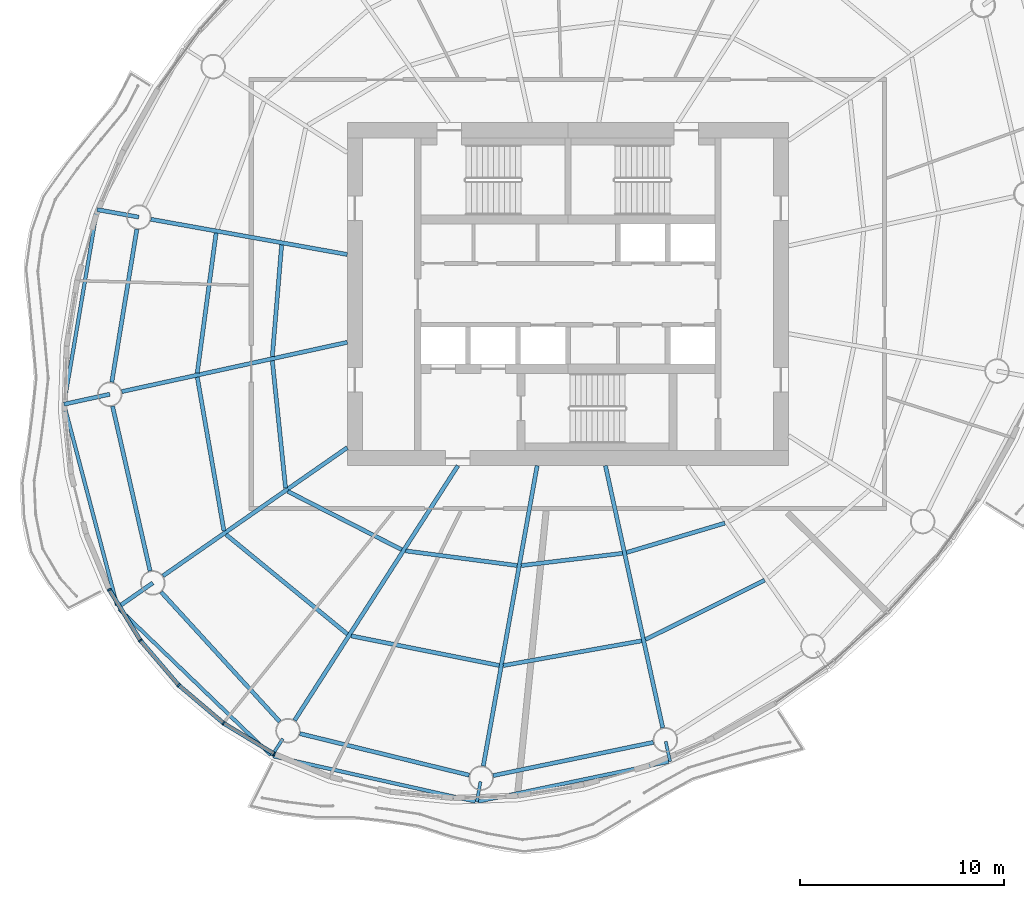
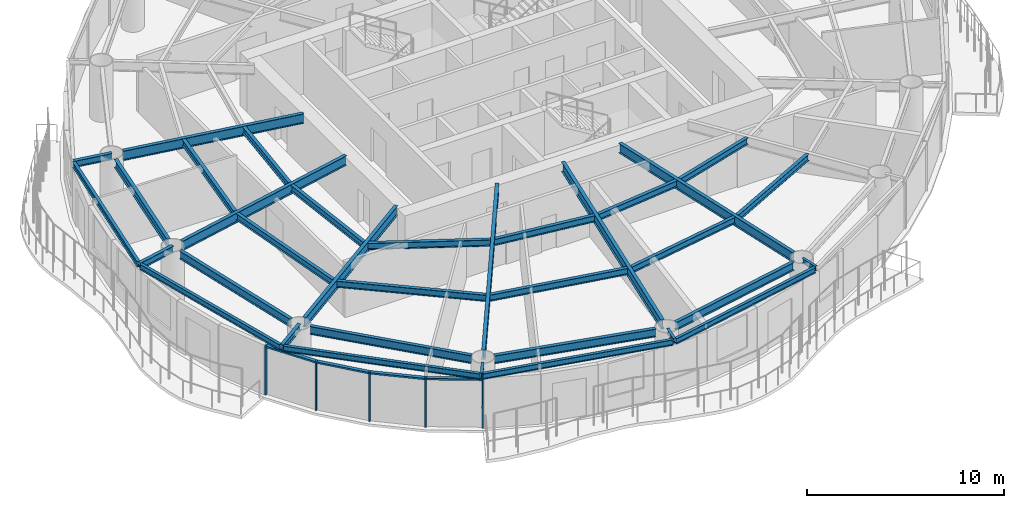
# One storey, part 2 of 14: 34 beams, 9 members, 4 elements without a shape of their own.
"""IFC4 building model written with IfcOpenShell, lengths in metres."""

from ifc_helpers import new_model, si_unit, direction, frame, origin, origin_2d, place, context, subcontext, project, spatial, rectangle, i_section, extrude, material, material_profile, profile_set, type_object, element, aggregate, save


model = new_model("IFC4")

# Units and contexts
model_context = context("Model", 3, precision=1e-05, world=origin(), true_north=direction((0.0, 1.0)))
body_context = subcontext(model_context, "Body", "Model", "MODEL_VIEW")
ifc_project = project(units=[si_unit("LENGTHUNIT", "METRE"), si_unit("AREAUNIT", "SQUARE_METRE"), si_unit("VOLUMEUNIT", "CUBIC_METRE"), si_unit("PLANEANGLEUNIT", "RADIAN"), si_unit("MASSUNIT", "GRAM", prefix="KILO")], contexts=[model_context])

# Site, building, storey
site_placement = place(None, origin())
site = spatial("IfcSite", under=ifc_project, at=site_placement, CompositionType="ELEMENT")
building_placement = place(site_placement, origin())
building = spatial("IfcBuilding", under=site, at=building_placement, Name="Vermilion Reach Broadcast Tower", CompositionType="ELEMENT")
storey_placement = place(building_placement, frame((0.0, 0.0, 213.699951171875)))
storey = spatial("IfcBuildingStorey", under=building, at=storey_placement, Name="L52", CompositionType="ELEMENT", Elevation=213.699951171875)

# Beams
ifc_material_1 = material(Name="Steel S355J2", Category="steel")
ifc_material_profile_1 = material_profile(ifc_material_1, i_section(OverallWidth=0.175048828125, OverallDepth=0.35009765625, WebThickness=0.007080078125, FlangeThickness=0.010986328125, at=origin_2d()), Name="S355J2 HN 350x175x7x11")
ifc_profile_set_1 = profile_set([ifc_material_profile_1], Name="Steel S355J2")
beam_type_1 = type_object("IfcBeamType", Name="EB4 HN 350x175x7x11", PredefinedType="BEAM", material=ifc_profile_set_1)
beam_1_placement = place(storey_placement, frame((-29.0634765625, 4.03564453125, 3.275146484375), z_axis=(-0.167513674991, -0.985869752397, 0.0), x_axis=(0.985869752397, -0.167513674991, 0.0)))
element("IfcBeam", 1, at=beam_1_placement, inside=storey, type_object=beam_type_1, Name="Edge beam EB4-06", PredefinedType="BEAM", context=body_context, shape_type="SweptSolid", body=[
    extrude(i_section(OverallWidth=0.175048828125, OverallDepth=0.35009765625, WebThickness=0.007080078125, FlangeThickness=0.010986328125, at=origin_2d()), origin(), (0.0, 0.0, 1.0), 9.454345703125),
])
beam_2_placement = place(storey_placement, frame((-30.6396484375, -5.48828125, 3.275146484375), z_axis=(0.254963029611, -0.966950802022, 0.0), x_axis=(0.966950802022, 0.254963029611, 0.0)))
element("IfcBeam", 2, at=beam_2_placement, inside=storey, type_object=beam_type_1, Name="Edge beam EB4-07", PredefinedType="BEAM", context=body_context, shape_type="SweptSolid", body=[
    extrude(i_section(OverallWidth=0.175048828125, OverallDepth=0.35009765625, WebThickness=0.007080078125, FlangeThickness=0.010986328125, at=origin_2d()), origin(), (0.0, 0.0, 1.0), 10.0791015625),
])
beam_3_placement = place(storey_placement, frame((-27.96923828125, -15.407958984375, 3.275146484375), z_axis=(0.720314949507, -0.69364715347, 0.0), x_axis=(0.69364715347, 0.720314949507, 0.0)))
element("IfcBeam", 3, at=beam_3_placement, inside=storey, type_object=beam_type_1, Name="Edge beam EB4-08", PredefinedType="BEAM", context=body_context, shape_type="SweptSolid", body=[
    extrude(i_section(OverallWidth=0.175048828125, OverallDepth=0.35009765625, WebThickness=0.007080078125, FlangeThickness=0.010986328125, at=origin_2d()), origin(), (0.0, 0.0, 1.0), 10.29931640625),
])
beam_4_placement = place(storey_placement, frame((-20.417724609375, -22.62255859375, 3.275146484375), z_axis=(0.975874186732, -0.218333624689, 0.0), x_axis=(0.218333624689, 0.975874186732, 0.0)))
element("IfcBeam", 4, at=beam_4_placement, inside=storey, type_object=beam_type_1, Name="Edge beam EB4-09", PredefinedType="BEAM", context=body_context, shape_type="SweptSolid", body=[
    extrude(i_section(OverallWidth=0.175048828125, OverallDepth=0.35009765625, WebThickness=0.007080078125, FlangeThickness=0.010986328125, at=origin_2d()), origin(), (0.0, 0.0, 1.0), 10.130859375),
])
beam_5_placement = place(storey_placement, frame((-10.37890625, -24.83447265625, 3.275146484375), z_axis=(0.978855246284, 0.204554165988, 0.0), x_axis=(-0.204554165988, 0.978855246284, 0.0)))
element("IfcBeam", 5, at=beam_5_placement, inside=storey, type_object=beam_type_1, Name="Edge beam EB4-10", PredefinedType="BEAM", context=body_context, shape_type="SweptSolid", body=[
    extrude(i_section(OverallWidth=0.175048828125, OverallDepth=0.35009765625, WebThickness=0.007080078125, FlangeThickness=0.010986328125, at=origin_2d()), origin(), (0.0, 0.0, 1.0), 9.50634765625),
])
ifc_material_2 = material(Name="Steel S355J2", Category="steel")
ifc_material_profile_2 = material_profile(ifc_material_2, i_section(OverallWidth=0.199951171875, OverallDepth=0.60009765625, WebThickness=0.010986328125, FlangeThickness=0.01708984375, at=origin_2d()), Name="S355J2 HN 600x200x11x17")
ifc_profile_set_2 = profile_set([ifc_material_profile_2], Name="Steel S355J2")
beam_type_2 = type_object("IfcBeamType", Name="G4 HN 600x200x11x17", PredefinedType="BEAM", material=ifc_profile_set_2)
beam_6_placement = place(storey_placement, frame((-16.800048828125, 1.9375, 3.150146484375), z_axis=(-0.984291153273, 0.176552897422, 0.0), x_axis=(-0.176552897422, -0.984291153273, 0.0)))
element("IfcBeam", 6, at=beam_6_placement, inside=storey, type_object=beam_type_2, Name="Girder G4-06", PredefinedType="BEAM", context=body_context, shape_type="SweptSolid", body=[
    extrude(i_section(OverallWidth=0.199951171875, OverallDepth=0.60009765625, WebThickness=0.010986328125, FlangeThickness=0.01708984375, at=origin_2d()), origin(), (0.0, 0.0, 1.0), 9.765380859375),
])
beam_7_placement = place(storey_placement, frame((-16.800048828125, -2.360595703125, 3.150146484375), z_axis=(-0.976930175286, -0.213558967537, 0.0), x_axis=(0.213558967537, -0.976930175286, 0.0)))
element("IfcBeam", 7, at=beam_7_placement, inside=storey, type_object=beam_type_2, Name="Girder G4-07", PredefinedType="BEAM", context=body_context, shape_type="SweptSolid", body=[
    extrude(i_section(OverallWidth=0.199951171875, OverallDepth=0.60009765625, WebThickness=0.010986328125, FlangeThickness=0.01708984375, at=origin_2d()), origin(), (0.0, 0.0, 1.0), 11.29833984375),
])
beam_8_placement = place(storey_placement, frame((-16.800048828125, -7.5146484375, 3.150146484375), z_axis=(-0.820848627818, -0.571145804684, 0.0), x_axis=(0.571145804684, -0.820848627818, 0.0)))
element("IfcBeam", 8, at=beam_8_placement, inside=storey, type_object=beam_type_2, Name="Girder G4-08", PredefinedType="BEAM", context=body_context, shape_type="SweptSolid", body=[
    extrude(i_section(OverallWidth=0.199951171875, OverallDepth=0.60009765625, WebThickness=0.010986328125, FlangeThickness=0.01708984375, at=origin_2d()), origin(), (0.0, 0.0, 1.0), 10.99560546875),
])
beam_9_placement = place(storey_placement, frame((-11.386474609375, -8.39990234375, 3.150146484375), z_axis=(-0.539796447586, -0.84179557802, 0.0), x_axis=(0.84179557802, -0.539796447586, 0.0)))
element("IfcBeam", 9, at=beam_9_placement, inside=storey, type_object=beam_type_2, Name="Girder G4-09", PredefinedType="BEAM", context=body_context, shape_type="SweptSolid", body=[
    extrude(i_section(OverallWidth=0.199951171875, OverallDepth=0.60009765625, WebThickness=0.010986328125, FlangeThickness=0.01708984375, at=origin_2d()), origin(), (0.0, 0.0, 1.0), 14.8076171875),
])
beam_10_placement = place(storey_placement, frame((-7.5068359375, -8.39990234375, 3.150146484375), z_axis=(-0.176574729047, -0.984287237072, 0.0), x_axis=(0.984287237072, -0.176574729047, 0.0)))
element("IfcBeam", 10, at=beam_10_placement, inside=storey, type_object=beam_type_2, Name="Girder G4-10", PredefinedType="BEAM", context=body_context, shape_type="SweptSolid", body=[
    extrude(i_section(OverallWidth=0.199951171875, OverallDepth=0.60009765625, WebThickness=0.010986328125, FlangeThickness=0.01708984375, at=origin_2d()), origin(), (0.0, 0.0, 1.0), 14.935302734375),
])
beam_11_placement = place(storey_placement, frame((-4.163818359375, -8.39990234375, 3.150146484375), z_axis=(0.213538346548, -0.976934682849, 0.0), x_axis=(0.976934682849, 0.213538346548, 0.0)))
element("IfcBeam", 11, at=beam_11_placement, inside=storey, type_object=beam_type_2, Name="Girder G4-11", PredefinedType="BEAM", context=body_context, shape_type="SweptSolid", body=[
    extrude(i_section(OverallWidth=0.199951171875, OverallDepth=0.60009765625, WebThickness=0.010986328125, FlangeThickness=0.01708984375, at=origin_2d()), origin(), (0.0, 0.0, 1.0), 13.135498046875),
])
ifc_material_3 = material(Name="Steel S355J2", Category="steel")
ifc_material_profile_3 = material_profile(ifc_material_3, i_section(OverallWidth=0.199951171875, OverallDepth=0.39990234375, WebThickness=0.008056640625, FlangeThickness=0.012939453125, at=origin_2d()), Name="S355J2 HN 400x200x8x13")
ifc_profile_set_3 = profile_set([ifc_material_profile_3], Name="Steel S355J2")
beam_type_3 = type_object("IfcBeamType", Name="GC4 HN 400x200x8x13", PredefinedType="BEAM", material=ifc_profile_set_3)
beam_12_placement = place(storey_placement, frame((-27.002685546875, 3.767578125, 3.25), z_axis=(-0.984284833043, 0.176588129387, 0.0), x_axis=(-0.176588129387, -0.984284833043, 0.0)))
element("IfcBeam", 12, at=beam_12_placement, inside=storey, type_object=beam_type_3, Name="Cantilever girder GC4-06", PredefinedType="BEAM", context=body_context, shape_type="SweptSolid", body=[
    extrude(i_section(OverallWidth=0.199951171875, OverallDepth=0.39990234375, WebThickness=0.008056640625, FlangeThickness=0.012939453125, at=origin_2d()), origin(), (0.0, 0.0, 1.0), 2.07666015625),
])
beam_13_placement = place(storey_placement, frame((-28.423828125, -4.9013671875, 3.25), z_axis=(-0.97692985758, -0.213560420887, 0.0), x_axis=(0.213560420887, -0.97692985758, 0.0)))
element("IfcBeam", 13, at=beam_13_placement, inside=storey, type_object=beam_type_3, Name="Cantilever girder GC4-07", PredefinedType="BEAM", context=body_context, shape_type="SweptSolid", body=[
    extrude(i_section(OverallWidth=0.199951171875, OverallDepth=0.39990234375, WebThickness=0.008056640625, FlangeThickness=0.012939453125, at=origin_2d()), origin(), (0.0, 0.0, 1.0), 2.29443359375),
])
beam_14_placement = place(storey_placement, frame((-26.318115234375, -14.13720703125, 3.25), z_axis=(-0.820855460981, -0.571135983964, 0.0), x_axis=(0.571135983964, -0.820855460981, 0.0)))
element("IfcBeam", 14, at=beam_14_placement, inside=storey, type_object=beam_type_3, Name="Cantilever girder GC4-08", PredefinedType="BEAM", context=body_context, shape_type="SweptSolid", body=[
    extrude(i_section(OverallWidth=0.199951171875, OverallDepth=0.39990234375, WebThickness=0.008056640625, FlangeThickness=0.012939453125, at=origin_2d()), origin(), (0.0, 0.0, 1.0), 2.10107421875),
])
ifc_material_4 = material(Name="Steel S355J2", Category="steel")
ifc_material_profile_4 = material_profile(ifc_material_4, i_section(OverallWidth=0.14990234375, OverallDepth=0.300048828125, WebThickness=0.006591796875, FlangeThickness=0.009033203125, at=origin_2d()), Name="S355J2 HN 300x150x6.5x9")
ifc_profile_set_4 = profile_set([ifc_material_profile_4], Name="Steel S355J2")
beam_type_4 = type_object("IfcBeamType", Name="GS4 HN 300x150x6.5x9", PredefinedType="BEAM", material=ifc_profile_set_4)
for number, where, z_axis, x_axis, name in (
    (15, (-19.955810546875, -21.763427734375, 3.300048828125), (-0.539794777091, -0.841796649213, 0.0), (0.841796649213, -0.539794777091, 0.0), "Cantilever stub GS4-09"),
    (16, (-10.281494140625, -23.86669921875, 3.300048828125), (-0.176500327456, -0.984300581331, 0.0), (0.984300581331, -0.176500327456, 0.0), "Cantilever stub GS4-10"),
):
    element("IfcBeam", number, at=place(storey_placement, frame(where, z_axis=z_axis, x_axis=x_axis)), inside=storey, type_object=beam_type_4, Name=name, PredefinedType="BEAM", context=body_context, shape_type="SweptSolid", body=[
        extrude(i_section(OverallWidth=0.14990234375, OverallDepth=0.300048828125, WebThickness=0.006591796875, FlangeThickness=0.009033203125, at=origin_2d()), origin(), (0.0, 0.0, 1.0), 1.0),
    ])
beam_15_placement = place(storey_placement, frame((-1.213623046875, -21.8974609375, 3.300048828125), z_axis=(0.213594957215, -0.976922307173, 0.0), x_axis=(0.976922307173, 0.213594957215, 0.0)))
element("IfcBeam", 17, at=beam_15_placement, inside=storey, type_object=beam_type_4, Name="Cantilever stub GS4-11", PredefinedType="BEAM", context=body_context, shape_type="SweptSolid", body=[
    extrude(i_section(OverallWidth=0.14990234375, OverallDepth=0.300048828125, WebThickness=0.006591796875, FlangeThickness=0.009033203125, at=origin_2d()), origin(), (0.0, 0.0, 1.0), 1.000244140625),
])
ifc_material_5 = material(Name="Steel S355J2", Category="steel")
ifc_material_profile_5 = material_profile(ifc_material_5, i_section(OverallWidth=0.199951171875, OverallDepth=0.5, WebThickness=0.010009765625, FlangeThickness=0.01611328125, at=origin_2d()), Name="S355J2 HN 500x200x10x16")
ifc_profile_set_5 = profile_set([ifc_material_profile_5], Name="Steel S355J2")
beam_type_5 = type_object("IfcBeamType", Name="RB4 HN 500x200x10x16", PredefinedType="BEAM", material=ifc_profile_set_5)
beam_16_placement = place(storey_placement, frame((-27.099609375, 3.175537109375, 3.199951171875), z_axis=(-0.161778110263, -0.986827159659, 0.0), x_axis=(0.986827159659, -0.161778110263, 0.0)))
element("IfcBeam", 18, at=beam_16_placement, inside=storey, type_object=beam_type_5, Name="Ring beam RB4-06", PredefinedType="BEAM", context=body_context, shape_type="SweptSolid", body=[
    extrude(i_section(OverallWidth=0.199951171875, OverallDepth=0.5, WebThickness=0.010009765625, FlangeThickness=0.01611328125, at=origin_2d()), origin(), (0.0, 0.0, 1.0), 7.584716796875),
])
beam_17_placement = place(storey_placement, frame((-28.290283203125, -5.486572265625, 3.199951171875), z_axis=(0.222283068275, -0.974982172944, 0.0), x_axis=(0.974982172944, 0.222283068275, 0.0)))
element("IfcBeam", 19, at=beam_17_placement, inside=storey, type_object=beam_type_5, Name="Ring beam RB4-07", PredefinedType="BEAM", context=body_context, shape_type="SweptSolid", body=[
    extrude(i_section(OverallWidth=0.199951171875, OverallDepth=0.5, WebThickness=0.010009765625, FlangeThickness=0.01611328125, at=origin_2d()), origin(), (0.0, 0.0, 1.0), 8.272705078125),
])
beam_18_placement = place(storey_placement, frame((-25.9130859375, -14.580078125, 3.199951171875), z_axis=(0.674868141417, -0.737938338684, 0.0), x_axis=(0.737938338684, 0.674868141417, 0.0)))
element("IfcBeam", 20, at=beam_18_placement, inside=storey, type_object=beam_type_5, Name="Ring beam RB4-08", PredefinedType="BEAM", context=body_context, shape_type="SweptSolid", body=[
    extrude(i_section(OverallWidth=0.199951171875, OverallDepth=0.5, WebThickness=0.010009765625, FlangeThickness=0.01611328125, at=origin_2d()), origin(), (0.0, 0.0, 1.0), 8.601318359375),
])
beam_19_placement = place(storey_placement, frame((-19.120849609375, -21.51318359375, 3.199951171875), z_axis=(0.971158622271, -0.238434331398, 0.0), x_axis=(0.238434331398, 0.971158622271, 0.0)))
element("IfcBeam", 21, at=beam_19_placement, inside=storey, type_object=beam_type_5, Name="Ring beam RB4-09", PredefinedType="BEAM", context=body_context, shape_type="SweptSolid", body=[
    extrude(i_section(OverallWidth=0.199951171875, OverallDepth=0.5, WebThickness=0.010009765625, FlangeThickness=0.01611328125, at=origin_2d()), origin(), (0.0, 0.0, 1.0), 8.534423828125),
])
beam_20_placement = place(storey_placement, frame((-9.662353515625, -23.569091796875, 3.199951171875), z_axis=(0.97912342484, 0.203266620302, 0.0), x_axis=(-0.203266620302, 0.97912342484, 0.0)))
element("IfcBeam", 22, at=beam_20_placement, inside=storey, type_object=beam_type_5, Name="Ring beam RB4-10", PredefinedType="BEAM", context=body_context, shape_type="SweptSolid", body=[
    extrude(i_section(OverallWidth=0.199951171875, OverallDepth=0.5, WebThickness=0.010009765625, FlangeThickness=0.01611328125, at=origin_2d()), origin(), (0.0, 0.0, 1.0), 8.01123046875),
])
ifc_material_6 = material(Name="Steel S355J2", Category="steel")
ifc_material_profile_6 = material_profile(ifc_material_6, i_section(OverallWidth=0.199951171875, OverallDepth=0.39990234375, WebThickness=0.008056640625, FlangeThickness=0.012939453125, at=origin_2d()), Name="S355J2 HN 400x200x8x13")
ifc_profile_set_6 = profile_set([ifc_material_profile_6], Name="Steel S355J2")
beam_type_6 = type_object("IfcBeamType", Name="SB4 HN 400x200x8x13", PredefinedType="BEAM", material=ifc_profile_set_6)
beam_21_placement = place(storey_placement, frame((-20.012451171875, 2.412109375, 3.25), z_axis=(-0.08339866655, -0.996516262997, 0.0), x_axis=(0.996516262997, -0.08339866655, 0.0)))
element("IfcBeam", 23, at=beam_21_placement, inside=storey, type_object=beam_type_6, Name="Secondary beam SB4-06-1", PredefinedType="BEAM", context=body_context, shape_type="SweptSolid", body=[
    extrude(i_section(OverallWidth=0.199951171875, OverallDepth=0.39990234375, WebThickness=0.008056640625, FlangeThickness=0.012939453125, at=origin_2d()), origin(), (0.0, 0.0, 1.0), 5.49169921875),
])
beam_22_placement = place(storey_placement, frame((-23.221435546875, 2.98779296875, 3.25), z_axis=(-0.133486718782, -0.991050602093, 0.0), x_axis=(0.991050602093, -0.133486718782, 0.0)))
element("IfcBeam", 24, at=beam_22_placement, inside=storey, type_object=beam_type_6, Name="Secondary beam SB4-06-2", PredefinedType="BEAM", context=body_context, shape_type="SweptSolid", body=[
    extrude(i_section(OverallWidth=0.199951171875, OverallDepth=0.39990234375, WebThickness=0.008056640625, FlangeThickness=0.012939453125, at=origin_2d()), origin(), (0.0, 0.0, 1.0), 6.913330078125),
])
beam_23_placement = place(storey_placement, frame((-20.46875, -3.264892578125, 3.25), z_axis=(0.103532173355, -0.994626105167, 0.0), x_axis=(0.994626105167, 0.103532173355, 0.0)))
element("IfcBeam", 25, at=beam_23_placement, inside=storey, type_object=beam_type_6, Name="Secondary beam SB4-07-1", PredefinedType="BEAM", context=body_context, shape_type="SweptSolid", body=[
    extrude(i_section(OverallWidth=0.199951171875, OverallDepth=0.39990234375, WebThickness=0.008056640625, FlangeThickness=0.012939453125, at=origin_2d()), origin(), (0.0, 0.0, 1.0), 6.26318359375),
])
beam_24_placement = place(storey_placement, frame((-24.141357421875, -4.067626953125, 3.25), z_axis=(0.170926997669, -0.985283695931, 0.0), x_axis=(0.985283695931, 0.170926997669, 0.0)))
element("IfcBeam", 26, at=beam_24_placement, inside=storey, type_object=beam_type_6, Name="Secondary beam SB4-07-2", PredefinedType="BEAM", context=body_context, shape_type="SweptSolid", body=[
    extrude(i_section(OverallWidth=0.199951171875, OverallDepth=0.39990234375, WebThickness=0.008056640625, FlangeThickness=0.012939453125, at=origin_2d()), origin(), (0.0, 0.0, 1.0), 7.63720703125),
])
beam_25_placement = place(storey_placement, frame((-19.707763671875, -9.659423828125, 3.25), z_axis=(0.89015575218, -0.455656380249, 0.0), x_axis=(0.455656380249, 0.89015575218, 0.0)))
element("IfcBeam", 27, at=beam_25_placement, inside=storey, type_object=beam_type_6, Name="Secondary beam SB4-08-1", PredefinedType="BEAM", context=body_context, shape_type="SweptSolid", body=[
    extrude(i_section(OverallWidth=0.199951171875, OverallDepth=0.39990234375, WebThickness=0.008056640625, FlangeThickness=0.012939453125, at=origin_2d()), origin(), (0.0, 0.0, 1.0), 6.25439453125),
])
beam_26_placement = place(storey_placement, frame((-22.73681640625, -11.76708984375, 3.25), z_axis=(0.772952000494, -0.6344645025, 0.0), x_axis=(0.6344645025, 0.772952000494, 0.0)))
element("IfcBeam", 28, at=beam_26_placement, inside=storey, type_object=beam_type_6, Name="Secondary beam SB4-08-2", PredefinedType="BEAM", context=body_context, shape_type="SweptSolid", body=[
    extrude(i_section(OverallWidth=0.199951171875, OverallDepth=0.39990234375, WebThickness=0.008056640625, FlangeThickness=0.012939453125, at=origin_2d()), origin(), (0.0, 0.0, 1.0), 7.689697265625),
])
beam_27_placement = place(storey_placement, frame((-13.94140625, -12.5693359375, 3.25), z_axis=(0.991458070019, -0.130425823341, 0.0), x_axis=(0.130425823341, 0.991458070019, 0.0)))
element("IfcBeam", 29, at=beam_27_placement, inside=storey, type_object=beam_type_6, Name="Secondary beam SB4-09-1", PredefinedType="BEAM", context=body_context, shape_type="SweptSolid", body=[
    extrude(i_section(OverallWidth=0.199951171875, OverallDepth=0.39990234375, WebThickness=0.008056640625, FlangeThickness=0.012939453125, at=origin_2d()), origin(), (0.0, 0.0, 1.0), 5.50341796875),
])
beam_28_placement = place(storey_placement, frame((-16.60986328125, -16.73095703125, 3.25), z_axis=(0.9805717807, -0.196160604851, 0.0), x_axis=(0.196160604851, 0.9805717807, 0.0)))
element("IfcBeam", 30, at=beam_28_placement, inside=storey, type_object=beam_type_6, Name="Secondary beam SB4-09-2", PredefinedType="BEAM", context=body_context, shape_type="SweptSolid", body=[
    extrude(i_section(OverallWidth=0.199951171875, OverallDepth=0.39990234375, WebThickness=0.008056640625, FlangeThickness=0.012939453125, at=origin_2d()), origin(), (0.0, 0.0, 1.0), 7.390380859375),
])
beam_29_placement = place(storey_placement, frame((-8.281982421875, -13.28759765625, 3.25), z_axis=(0.99278788328, 0.119884189168, 0.0), x_axis=(-0.119884189168, 0.99278788328, 0.0)))
element("IfcBeam", 31, at=beam_29_placement, inside=storey, type_object=beam_type_6, Name="Secondary beam SB4-10-1", PredefinedType="BEAM", context=body_context, shape_type="SweptSolid", body=[
    extrude(i_section(OverallWidth=0.199951171875, OverallDepth=0.39990234375, WebThickness=0.008056640625, FlangeThickness=0.012939453125, at=origin_2d()), origin(), (0.0, 0.0, 1.0), 4.9892578125),
])
beam_30_placement = place(storey_placement, frame((-9.159912109375, -18.181640625, 3.25), z_axis=(0.984415281892, 0.175859468829, 0.0), x_axis=(-0.175859468829, 0.984415281892, 0.0)))
element("IfcBeam", 32, at=beam_30_placement, inside=storey, type_object=beam_type_6, Name="Secondary beam SB4-10-2", PredefinedType="BEAM", context=body_context, shape_type="SweptSolid", body=[
    extrude(i_section(OverallWidth=0.199951171875, OverallDepth=0.39990234375, WebThickness=0.008056640625, FlangeThickness=0.012939453125, at=origin_2d()), origin(), (0.0, 0.0, 1.0), 6.874755859375),
])
beam_31_placement = place(storey_placement, frame((-3.1328125, -12.64892578125, 3.25), z_axis=(0.958173460215, 0.28618808525, 0.0), x_axis=(-0.28618808525, 0.958173460215, 0.0)))
element("IfcBeam", 33, at=beam_31_placement, inside=storey, type_object=beam_type_6, Name="Secondary beam SB4-11-1", PredefinedType="BEAM", context=body_context, shape_type="SweptSolid", body=[
    extrude(i_section(OverallWidth=0.199951171875, OverallDepth=0.39990234375, WebThickness=0.008056640625, FlangeThickness=0.012939453125, at=origin_2d()), origin(), (0.0, 0.0, 1.0), 5.02197265625),
])
beam_32_placement = place(storey_placement, frame((-2.20166015625, -16.908935546875, 3.25), z_axis=(0.895183615542, 0.445697536974, 0.0), x_axis=(-0.445697536974, 0.895183615542, 0.0)))
element("IfcBeam", 34, at=beam_32_placement, inside=storey, type_object=beam_type_6, Name="Secondary beam SB4-11-2", PredefinedType="BEAM", context=body_context, shape_type="SweptSolid", body=[
    extrude(i_section(OverallWidth=0.199951171875, OverallDepth=0.39990234375, WebThickness=0.008056640625, FlangeThickness=0.012939453125, at=origin_2d()), origin(), (0.0, 0.0, 1.0), 6.508544921875),
])

# Curtain wall, member
ifc_material_7 = material(Name="Low-e laminated clear glass in aluminium frame", Category="aluminium")
curtain_wall_type = type_object("IfcCurtainWallType", Name="Slot curtain wall", PredefinedType="NOTDEFINED", material=ifc_material_7)
placement = place(storey_placement, origin())
curtain_wall_1 = element("IfcCurtainWall", 35, at=placement, inside=storey, type_object=curtain_wall_type, Name="Slot curtain wall L52 22", PredefinedType="NOTDEFINED")
ifc_material_8 = material(Name="Anodised aluminium", Category="aluminium")
ifc_material_profile_7 = material_profile(ifc_material_8, rectangle(XDim=0.199951171875, YDim=0.080078125, at=origin_2d()), Name="Slot mullion 80 x 200")
ifc_profile_set_7 = profile_set([ifc_material_profile_7], Name="Anodised aluminium")
member_type_1 = type_object("IfcMemberType", Name="Slot mullion 80 x 200", PredefinedType="MULLION", material=ifc_profile_set_7)
member_1_placement = place(storey_placement, frame((-28.448974609375, -14.467529296875, 0.0), z_axis=(0.0, 0.0, 1.0), x_axis=(0.890637445081, 0.454714131538, 0.0)))
member_1 = element("IfcMember", 36, at=member_1_placement, type_object=member_type_1, Name="Slot mullion L52 22", PredefinedType="MULLION", context=body_context, shape_type="SweptSolid", body=[
    extrude(rectangle(XDim=0.199951171875, YDim=0.080078125, at=origin_2d()), origin(), (0.0, 0.0, 1.0), 3.050048828125),
])

curtain_wall_2 = element("IfcCurtainWall", 37, at=placement, inside=storey, type_object=curtain_wall_type, Name="Slot curtain wall L52 23", PredefinedType="NOTDEFINED")
member_2_placement = place(storey_placement, frame((-26.93115234375, -16.947021484375, 0.0), z_axis=(0.0, 0.0, 1.0), x_axis=(0.808902989174, 0.587942134998, 0.0)))
member_2 = element("IfcMember", 38, at=member_2_placement, type_object=member_type_1, Name="Slot mullion L52 23", PredefinedType="MULLION", context=body_context, shape_type="SweptSolid", body=[
    extrude(rectangle(XDim=0.199951171875, YDim=0.080078125, at=origin_2d()), origin(), (0.0, 0.0, 1.0), 3.050048828125),
])

curtain_wall_3 = element("IfcCurtainWall", 39, at=placement, inside=storey, type_object=curtain_wall_type, Name="Slot curtain wall L52 24", PredefinedType="NOTDEFINED")
member_3_placement = place(storey_placement, frame((-25.057373046875, -19.13720703125, 0.0), z_axis=(0.0, 0.0, 1.0), x_axis=(0.705624322559, 0.708586138315, 0.0)))
member_3 = element("IfcMember", 40, at=member_3_placement, type_object=member_type_1, Name="Slot mullion L52 24", PredefinedType="MULLION", context=body_context, shape_type="SweptSolid", body=[
    extrude(rectangle(XDim=0.199951171875, YDim=0.080078125, at=origin_2d()), origin(), (0.0, 0.0, 1.0), 3.050048828125),
])

# Curtain wall, members
curtain_wall_4 = element("IfcCurtainWall", 41, at=placement, inside=storey, type_object=curtain_wall_type, Name="Slot curtain wall L52 25", PredefinedType="NOTDEFINED")
member_4_placement = place(storey_placement, frame((-22.859130859375, -21.001953125, 0.0), z_axis=(0.0, 0.0, 1.0), x_axis=(0.58454860876, 0.811358690097, 0.0)))
member_4 = element("IfcMember", 42, at=member_4_placement, type_object=member_type_1, Name="Slot mullion L52 25", PredefinedType="MULLION", context=body_context, shape_type="SweptSolid", body=[
    extrude(rectangle(XDim=0.199951171875, YDim=0.080078125, at=origin_2d()), origin(), (0.0, 0.0, 1.0), 3.050048828125),
])
member_5_placement = place(storey_placement, frame((-20.373291015625, -22.509521484375, 0.0), z_axis=(0.0, 0.0, 1.0), x_axis=(0.450979492157, 0.892534311752, 0.0)))
member_5 = element("IfcMember", 43, at=member_5_placement, type_object=member_type_1, Name="Slot mullion L52 26", PredefinedType="MULLION", context=body_context, shape_type="SweptSolid", body=[
    extrude(rectangle(XDim=0.199951171875, YDim=0.080078125, at=origin_2d()), origin(), (0.0, 0.0, 1.0), 3.050048828125),
])

# Member
ifc_material_9 = material(Name="Anodised aluminium", Category="aluminium")
ifc_material_profile_8 = material_profile(ifc_material_9, rectangle(XDim=0.199951171875, YDim=0.10009765625, at=origin_2d()), Name="Slot transom 200 x 100")
ifc_profile_set_8 = profile_set([ifc_material_profile_8], Name="Anodised aluminium")
member_type_2 = type_object("IfcMemberType", Name="Slot transom 200 x 100", PredefinedType="USERDEFINED", material=ifc_profile_set_8)
member_6_placement = place(storey_placement, frame((-28.42822265625, -14.501708984375, 3.0), z_axis=(0.522183341632, -0.852833253176, 0.0), x_axis=(0.852833253176, 0.522183341632, 0.0)))
member_6 = element("IfcMember", 44, at=member_6_placement, type_object=member_type_2, Name="Slot transom L52 22.1", ObjectType="TRANSOM", PredefinedType="USERDEFINED", context=body_context, shape_type="SweptSolid", body=[
    extrude(rectangle(XDim=0.199951171875, YDim=0.10009765625, at=origin_2d()), origin(), (0.0, 0.0, 1.0), 2.8271484375),
])

aggregate(curtain_wall_1, [member_1, member_6])

member_7_placement = place(storey_placement, frame((-26.905029296875, -16.9775390625, 3.0), z_axis=(0.650087986333, -0.759858940873, 0.0), x_axis=(0.759858940873, 0.650087986333, 0.0)))
member_7 = element("IfcMember", 45, at=member_7_placement, type_object=member_type_2, Name="Slot transom L52 23.1", ObjectType="TRANSOM", PredefinedType="USERDEFINED", context=body_context, shape_type="SweptSolid", body=[
    extrude(rectangle(XDim=0.199951171875, YDim=0.10009765625, at=origin_2d()), origin(), (0.0, 0.0, 1.0), 2.80224609375),
])

aggregate(curtain_wall_2, [member_2, member_7])

member_8_placement = place(storey_placement, frame((-25.02685546875, -19.1630859375, 3.0), z_axis=(0.762579453088, -0.646894564614, 0.0), x_axis=(0.646894564614, 0.762579453088, 0.0)))
member_8 = element("IfcMember", 46, at=member_8_placement, type_object=member_type_2, Name="Slot transom L52 24.1", ObjectType="TRANSOM", PredefinedType="USERDEFINED", context=body_context, shape_type="SweptSolid", body=[
    extrude(rectangle(XDim=0.199951171875, YDim=0.10009765625, at=origin_2d()), origin(), (0.0, 0.0, 1.0), 2.802490234375),
])

aggregate(curtain_wall_3, [member_3, member_8])

member_9_placement = place(storey_placement, frame((-22.824951171875, -21.022705078125, 3.0), z_axis=(0.855029594506, -0.518579205637, 0.0), x_axis=(0.518579205637, 0.855029594506, 0.0)))
member_9 = element("IfcMember", 47, at=member_9_placement, type_object=member_type_2, Name="Slot transom L52 25.1", ObjectType="TRANSOM", PredefinedType="USERDEFINED", context=body_context, shape_type="SweptSolid", body=[
    extrude(rectangle(XDim=0.199951171875, YDim=0.10009765625, at=origin_2d()), origin(), (0.0, 0.0, 1.0), 2.8271484375),
])

aggregate(curtain_wall_4, [member_4, member_5, member_9])

save(model, "model.ifc")
